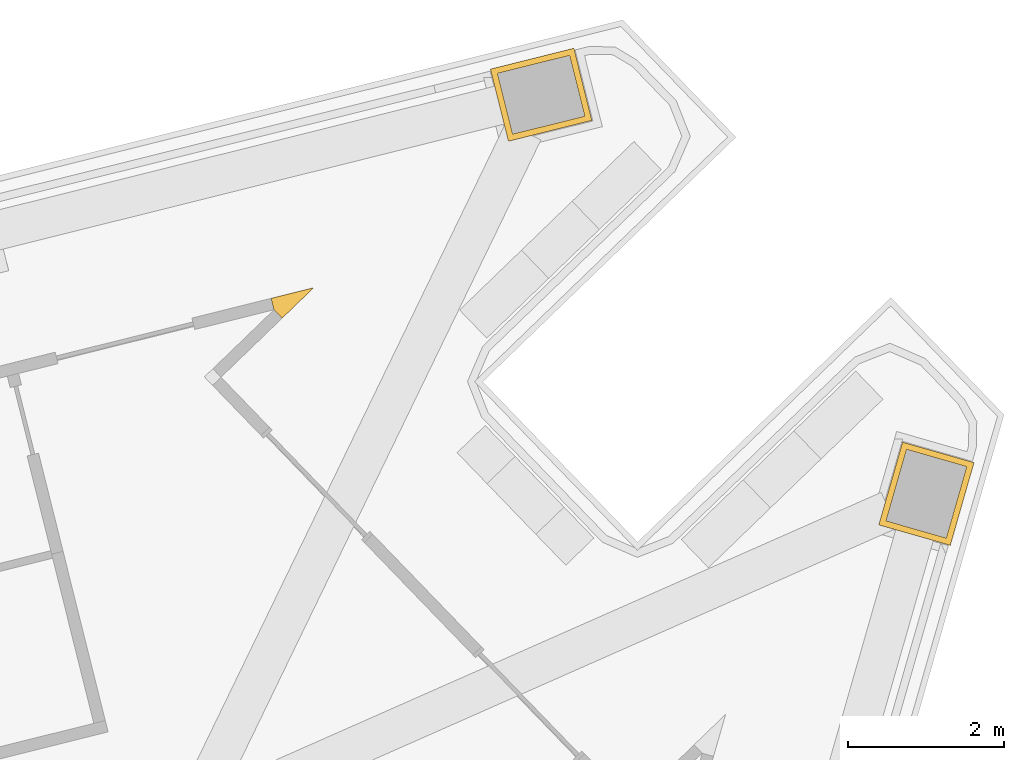
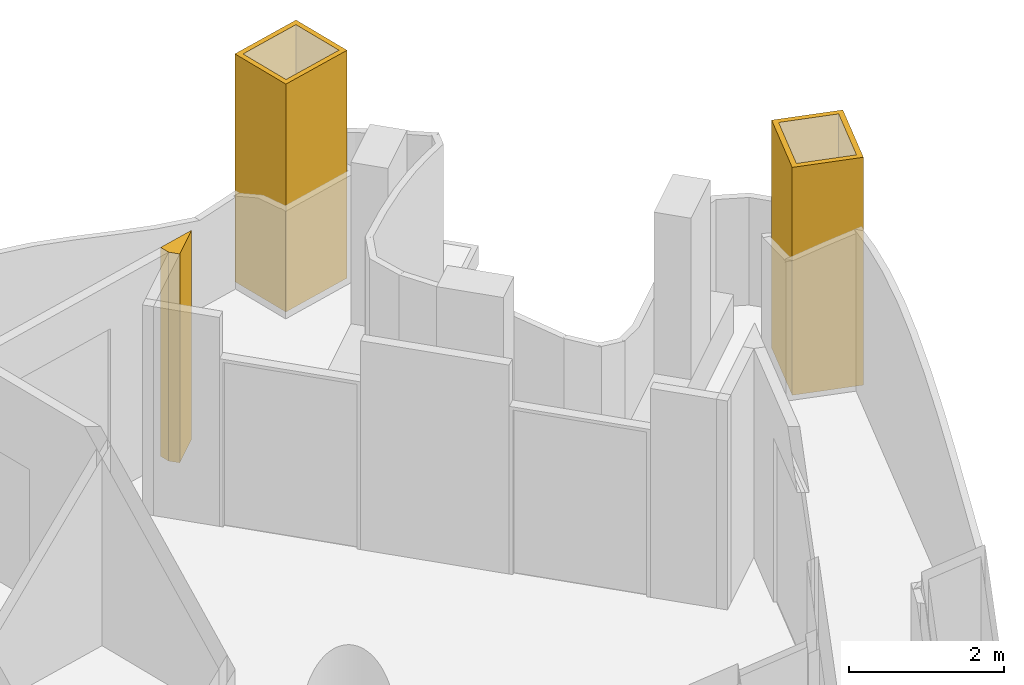
# One storey, part 18 of 19: 3 coverings.
"""IFC4 building model written with IfcOpenShell, lengths in metres."""

import ifcopenshell
import ifcopenshell.guid

model = None  # the IFC model being written
_history = None  # IfcOwnerHistory: only IFC2X3 demands one
_inside = {}  # id of a spatial element -> (the spatial element, [elements in it])
_under = {}  # id of a project, library or spatial element -> (it, [spatial elements below it])
_declared = {}  # id of a project -> (the project, [libraries it declares])
_typed = {}  # id of a type object -> (the type object, [elements of that type])
_made_of = {}  # id of a material, layer set ... -> (it, [elements and type objects made of it])


def new_model(schema):
    """Start an empty IFC model of exactly this schema.

    Asked for "IFC4X3", IfcOpenShell would pick the latest addendum, in which some entities
    have other attributes; the version numbers below select the first issue.
    IFC2X3 requires an IfcOwnerHistory on every rooted entity: one is made here for all.
    """
    global model, _history
    if schema == "IFC4X3":
        model = ifcopenshell.file(schema_version=(4, 3, 0, 0))
    else:
        model = ifcopenshell.file(schema=schema)
    _inside.clear()
    _under.clear()
    _declared.clear()
    _typed.clear()
    _made_of.clear()
    _history = None
    if model.schema == "IFC2X3":
        org = make("IfcOrganization", Name="unknown")
        user = make(
            "IfcPersonAndOrganization",
            ThePerson=make("IfcPerson", FamilyName="unknown"),
            TheOrganization=org,
        )
        app = make(
            "IfcApplication",
            ApplicationDeveloper=org,
            Version="unknown",
            ApplicationFullName="unknown",
            ApplicationIdentifier="unknown",
        )
        _history = make(
            "IfcOwnerHistory",
            OwningUser=user,
            OwningApplication=app,
            ChangeAction="ADDED",
            CreationDate=0,
        )
    return model


def make(cls, **values):
    """One entity of the class cls with the attributes given. An attribute that is None is left unset."""
    return model.create_entity(
        cls, **{name: value for name, value in values.items() if value is not None}
    )


def rooted(cls, **values):
    """An entity with a GlobalId (a new one), such as an element, a storey or a relation."""
    return make(cls, GlobalId=ifcopenshell.guid.new(), OwnerHistory=_history, **values)


def si_unit(unit_type, name, prefix=None):
    """IfcSIUnit, for example si_unit("LENGTHUNIT", "METRE", prefix="MILLI")."""
    return make("IfcSIUnit", UnitType=unit_type, Prefix=prefix, Name=name)


def assignment(units):
    """IfcUnitAssignment: the units of a project."""
    return None if units is None else make("IfcUnitAssignment", Units=units)


def point(xyz):
    """IfcCartesianPoint."""
    return None if xyz is None else make("IfcCartesianPoint", Coordinates=xyz)


def direction(xyz):
    """IfcDirection."""
    return None if xyz is None else make("IfcDirection", DirectionRatios=xyz)


def frame(location, z_axis=None, x_axis=None):
    """IfcAxis2Placement3D, a coordinate frame: its origin and axes. An axis left out is left unset."""
    return make(
        "IfcAxis2Placement3D",
        Location=point(location),
        Axis=direction(z_axis),
        RefDirection=direction(x_axis),
    )


def origin():
    """The frame at (0, 0, 0) with its axes left unset."""
    return frame((0.0, 0.0, 0.0))


def place(relative_to, where):
    """IfcLocalPlacement: puts the frame where relative to a parent placement (None: the world)."""
    return make(
        "IfcLocalPlacement", PlacementRelTo=relative_to, RelativePlacement=where
    )


def context(
    kind, dimensions, precision=None, world=None, true_north=None, identifier=None
):
    """IfcGeometricRepresentationContext, for example the 3D "Model" context."""
    return make(
        "IfcGeometricRepresentationContext",
        ContextIdentifier=identifier,
        ContextType=kind,
        CoordinateSpaceDimension=dimensions,
        Precision=precision,
        WorldCoordinateSystem=world,
        TrueNorth=true_north,
    )


def subcontext(parent, identifier, kind, view, scale=None):
    """IfcGeometricRepresentationSubContext, for example "Body" below "Model"."""
    return make(
        "IfcGeometricRepresentationSubContext",
        ContextIdentifier=identifier,
        ContextType=kind,
        ParentContext=parent,
        TargetScale=scale,
        TargetView=view,
    )


def project(units=None, contexts=None):
    """IfcProject with its units and contexts."""
    return rooted(
        "IfcProject",
        Name="project",
        RepresentationContexts=contexts,
        UnitsInContext=assignment(units),
    )


def spatial(cls, under=None, at=None, **own):
    """A site, building, storey or space (cls), placed at a placement, below another one or the project."""
    s = rooted(cls, ObjectPlacement=at, **own)
    if under is not None:
        _under.setdefault(under.id(), (under, []))[1].append(s)
    return s


def polyline(points):
    """IfcPolyline through the points."""
    return make("IfcPolyline", Points=[point(p) for p in points])


def outline(outer, holes=None, kind="AREA"):
    """IfcArbitraryClosedProfileDef: a profile drawn as a closed curve; with holes, ...WithVoids."""
    if holes is None:
        return make("IfcArbitraryClosedProfileDef", ProfileType=kind, OuterCurve=outer)
    return make(
        "IfcArbitraryProfileDefWithVoids",
        ProfileType=kind,
        OuterCurve=outer,
        InnerCurves=holes,
    )


def extrude(swept, where, along, depth):
    """IfcExtrudedAreaSolid: the profile swept, set in the frame where, extruded along a direction by depth."""
    return make(
        "IfcExtrudedAreaSolid",
        SweptArea=swept,
        Position=where,
        ExtrudedDirection=direction(along),
        Depth=depth,
    )


def shape(context_of_items, identifier, shape_type, items):
    """IfcShapeRepresentation: the items that make up one representation, for example the "Body"."""
    return make(
        "IfcShapeRepresentation",
        ContextOfItems=context_of_items,
        RepresentationIdentifier=identifier,
        RepresentationType=shape_type,
        Items=items,
    )


def material(Name=None, Category=None):
    """IfcMaterial."""
    return make("IfcMaterial", Name=Name, Category=Category)


def layer(
    of_material, thickness, ventilated=None, Name=None, Category=None, Priority=None
):
    """IfcMaterialLayer: one layer of a wall or slab, of a material (None: an air gap)."""
    return make(
        "IfcMaterialLayer",
        Material=of_material,
        LayerThickness=thickness,
        IsVentilated=ventilated,
        Name=Name,
        Category=Category,
        Priority=Priority,
    )


def layer_set(layers, Name=None):
    """IfcMaterialLayerSet."""
    return make("IfcMaterialLayerSet", MaterialLayers=layers, LayerSetName=Name)


def made_of(thing, what):
    """Note that an element or type object is made of a material, layer set ...; save() writes the relation."""
    if what is not None:
        _made_of.setdefault(what.id(), (what, []))[1].append(thing)
    return thing


def type_object(cls, material=None, **own):
    """A type object (cls), such as IfcWallType, which elements share."""
    return made_of(rooted(cls, **own), material)


def element(
    cls,
    number,
    at=None,
    inside=None,
    cuts=None,
    type_object=None,
    material=None,
    context=None,
    identifier="Body",
    shape_type=None,
    held_by="IfcProductDefinitionShape",
    body=None,
    shapes=None,
    **own,
):
    """One element of the class cls, such as IfcWall. Its Tag is "e" and its number.

    at: its placement. inside: the storey or other place that contains it. cuts: it is an
    opening in that element (IfcRelVoidsElement). A single representation is given by context,
    identifier, shape_type and body (its items); several are given by shapes. held_by: the class
    of the entity that holds the representations. save() writes the other relations.
    """
    e = rooted(cls, Tag="e%d" % number, ObjectPlacement=at, **own)
    if body is not None:
        shapes = [shape(context, identifier, shape_type, body)]
    if shapes is not None:
        e.Representation = make(held_by, Representations=shapes)
    if inside is not None:
        _inside.setdefault(inside.id(), (inside, []))[1].append(e)
    if cuts is not None:
        rooted(
            "IfcRelVoidsElement", RelatingBuildingElement=cuts, RelatedOpeningElement=e
        )
    if type_object is not None:
        _typed.setdefault(type_object.id(), (type_object, []))[1].append(e)
    return made_of(e, material)


def aggregate(whole, parts):
    """IfcRelAggregates: a whole, such as a stair, and the parts it consists of."""
    return rooted("IfcRelAggregates", RelatingObject=whole, RelatedObjects=parts)


def save(model, path):
    """Write the relations noted so far, then the file.

    IfcRelAggregates (storeys below a building ...), IfcRelContainedInSpatialStructure (elements
    in a storey), IfcRelDefinesByType, IfcRelAssociatesMaterial and IfcRelDeclares: one each for
    every whole, place, type object, material and project.
    """
    for whole, parts in _under.values():
        aggregate(whole, parts)
    for where, things in _inside.values():
        rooted(
            "IfcRelContainedInSpatialStructure",
            RelatedElements=things,
            RelatingStructure=where,
        )
    for kind, things in _typed.values():
        rooted("IfcRelDefinesByType", RelatedObjects=things, RelatingType=kind)
    for what, things in _made_of.values():
        rooted("IfcRelAssociatesMaterial", RelatedObjects=things, RelatingMaterial=what)
    for by, libraries in _declared.values():
        rooted("IfcRelDeclares", RelatingContext=by, RelatedDefinitions=libraries)
    model.write(path)


model = new_model("IFC4")

# Units and contexts
model_context = context("Model", 3, precision=1e-05, world=origin(), true_north=direction((0.0, 1.0)))
body_context = subcontext(model_context, "Body", "Model", "MODEL_VIEW")
ifc_project = project(units=[si_unit("LENGTHUNIT", "METRE"), si_unit("AREAUNIT", "SQUARE_METRE"), si_unit("VOLUMEUNIT", "CUBIC_METRE"), si_unit("PLANEANGLEUNIT", "RADIAN"), si_unit("MASSUNIT", "GRAM", prefix="KILO")], contexts=[model_context])

# Site, building, storey
site_placement = place(None, origin())
site = spatial("IfcSite", under=ifc_project, at=site_placement, CompositionType="ELEMENT")
building_placement = place(site_placement, origin())
building = spatial("IfcBuilding", under=site, at=building_placement, Name="Trine Commons Tower", CompositionType="ELEMENT")
storey_placement = place(building_placement, frame((0.0, 0.0, 98.10009765625)))
storey = spatial("IfcBuildingStorey", under=building, at=storey_placement, Name="L24", CompositionType="ELEMENT", Elevation=98.10009765625)

# Coverings
ifc_material_1 = material(Name="Aluminium-framed insulated wall panel", Category="aluminium")
ifc_layer_1 = layer(ifc_material_1, 0.14990234375)
ifc_layer_set_1 = layer_set([ifc_layer_1], Name="Aluminium-framed insulated wall panel")
covering_type_1 = type_object("IfcCoveringType", Name="Glazing corner post, aluminium", PredefinedType="CLADDING", material=ifc_layer_set_1)
covering_1_placement = place(storey_placement, origin())
element("IfcCovering", 1, at=covering_1_placement, inside=storey, type_object=covering_type_1, Name="Glazing corner post 3-05", PredefinedType="CLADDING", context=body_context, shape_type="SweptSolid", body=[
    extrude(outline(polyline([(98.252197265625, 85.394775390625), (98.65478515625, 85.78369140625), (98.11181640625, 85.648193359375), (98.14794921875, 85.502685546875), (98.252197265625, 85.394775390625)])), origin(), (0.0, 0.0, 1.0), 3.2998046875),
])
ifc_material_2 = material(Name="Limestone, honed", Category="masonry")
ifc_layer_2 = layer(ifc_material_2, 0.074951171875)
ifc_layer_set_2 = layer_set([ifc_layer_2], Name="Limestone, honed")
covering_type_2 = type_object("IfcCoveringType", Name="Limestone column cladding 75", PredefinedType="CLADDING", material=ifc_layer_set_2)
covering_2_placement = place(storey_placement, origin())
element("IfcCovering", 2, at=covering_2_placement, inside=storey, type_object=covering_type_2, Name="Limestone pier cladding 3-16", PredefinedType="CLADDING", context=body_context, shape_type="SweptSolid", body=[
    extrude(outline(polyline([(102.211181640625, 87.922607421875), (101.9814453125, 88.84423828125), (100.9140625, 88.578125), (101.14404296875, 87.656494140625), (102.211181640625, 87.922607421875)]), holes=[polyline([(102.120361328125, 87.97705078125), (101.9267578125, 88.75341796875), (101.0048828125, 88.5234375), (101.198486328125, 87.747314453125), (102.120361328125, 87.97705078125)])]), origin(), (0.0, 0.0, 1.0), 3.599853515625),
])
covering_3_placement = place(storey_placement, origin())
element("IfcCovering", 3, at=covering_3_placement, inside=storey, type_object=covering_type_2, Name="Limestone pier cladding 3-17", PredefinedType="CLADDING", context=body_context, shape_type="SweptSolid", body=[
    extrude(outline(polyline([(107.095458984375, 83.548583984375), (106.18212890625, 83.810546875), (105.87890625, 82.753173828125), (106.792236328125, 82.4912109375), (107.095458984375, 83.548583984375)]), holes=[polyline([(107.002685546875, 83.497314453125), (106.233642578125, 83.7177734375), (105.9716796875, 82.8046875), (106.74072265625, 82.583984375), (107.002685546875, 83.497314453125)])]), origin(), (0.0, 0.0, 1.0), 3.599853515625),
])

save(model, "model.ifc")
